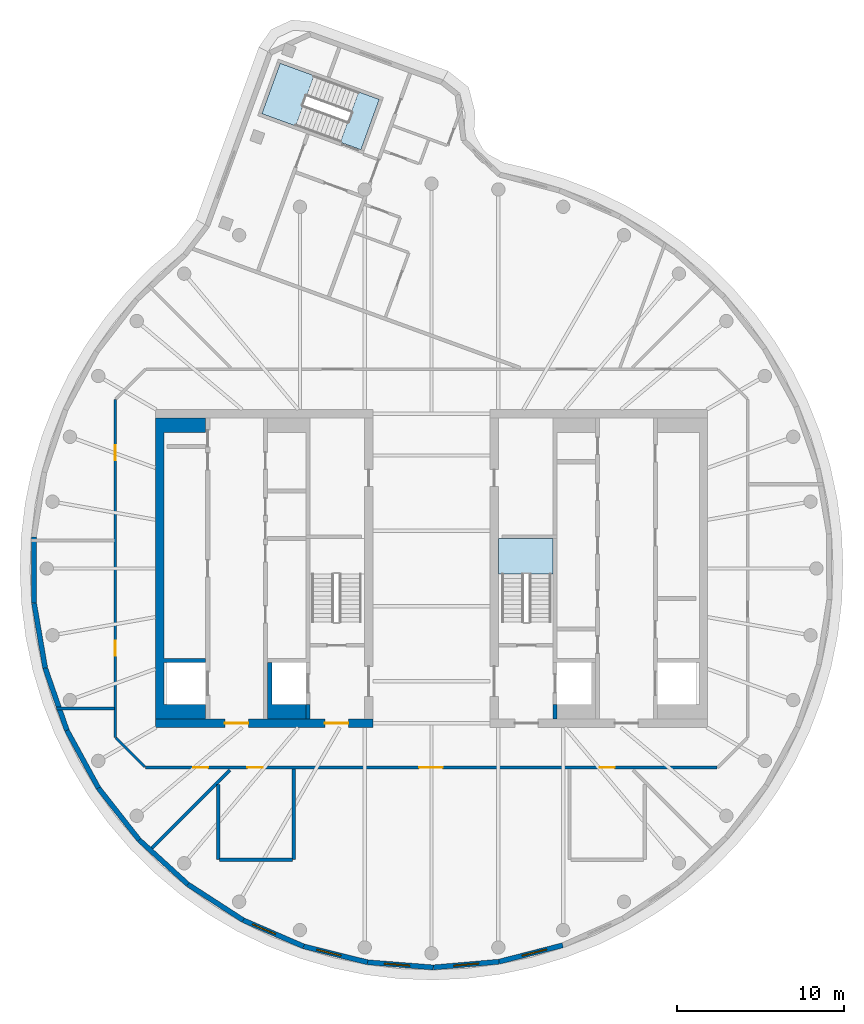
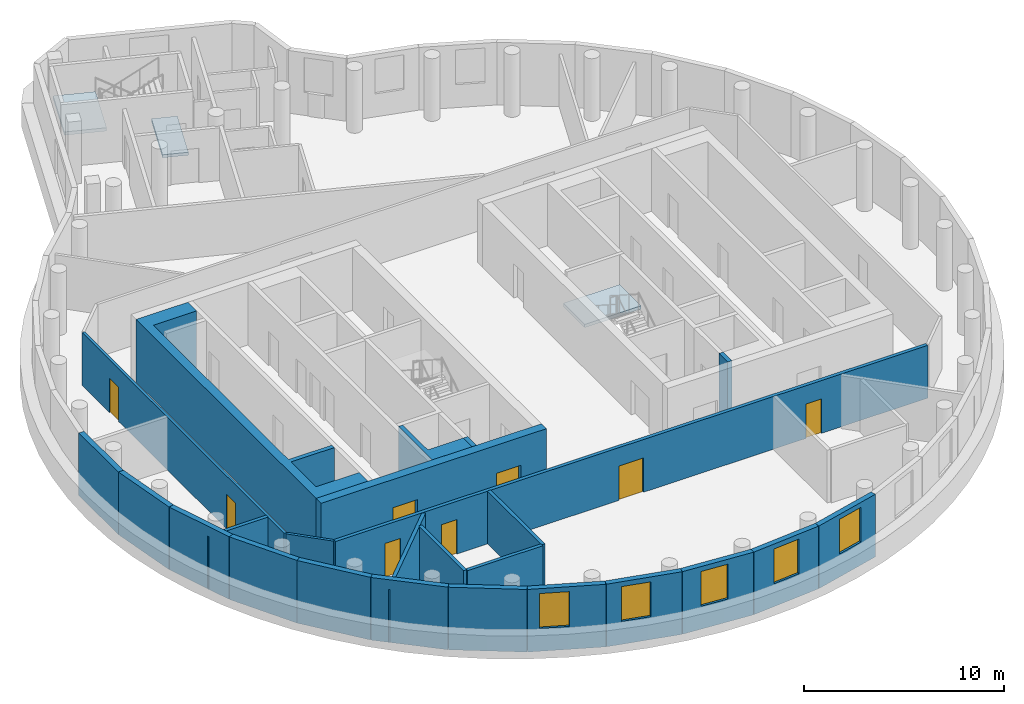
# One storey, part 2 of 7: 25 walls, 8 doors, 5 windows, 3 slabs, 13 openings, 2 elements without a shape of their own.
"""IFC4 building model written with IfcOpenShell, lengths in metres."""

import ifcopenshell
import ifcopenshell.guid

model = None  # the IFC model being written
_history = None  # IfcOwnerHistory: only IFC2X3 demands one
_inside = {}  # id of a spatial element -> (the spatial element, [elements in it])
_under = {}  # id of a project, library or spatial element -> (it, [spatial elements below it])
_declared = {}  # id of a project -> (the project, [libraries it declares])
_typed = {}  # id of a type object -> (the type object, [elements of that type])
_made_of = {}  # id of a material, layer set ... -> (it, [elements and type objects made of it])


def new_model(schema):
    """Start an empty IFC model of exactly this schema.

    Asked for "IFC4X3", IfcOpenShell would pick the latest addendum, in which some entities
    have other attributes; the version numbers below select the first issue.
    IFC2X3 requires an IfcOwnerHistory on every rooted entity: one is made here for all.
    """
    global model, _history
    if schema == "IFC4X3":
        model = ifcopenshell.file(schema_version=(4, 3, 0, 0))
    else:
        model = ifcopenshell.file(schema=schema)
    _inside.clear()
    _under.clear()
    _declared.clear()
    _typed.clear()
    _made_of.clear()
    _history = None
    if model.schema == "IFC2X3":
        org = make("IfcOrganization", Name="unknown")
        user = make(
            "IfcPersonAndOrganization",
            ThePerson=make("IfcPerson", FamilyName="unknown"),
            TheOrganization=org,
        )
        app = make(
            "IfcApplication",
            ApplicationDeveloper=org,
            Version="unknown",
            ApplicationFullName="unknown",
            ApplicationIdentifier="unknown",
        )
        _history = make(
            "IfcOwnerHistory",
            OwningUser=user,
            OwningApplication=app,
            ChangeAction="ADDED",
            CreationDate=0,
        )
    return model


def make(cls, **values):
    """One entity of the class cls with the attributes given. An attribute that is None is left unset."""
    return model.create_entity(
        cls, **{name: value for name, value in values.items() if value is not None}
    )


def rooted(cls, **values):
    """An entity with a GlobalId (a new one), such as an element, a storey or a relation."""
    return make(cls, GlobalId=ifcopenshell.guid.new(), OwnerHistory=_history, **values)


def si_unit(unit_type, name, prefix=None):
    """IfcSIUnit, for example si_unit("LENGTHUNIT", "METRE", prefix="MILLI")."""
    return make("IfcSIUnit", UnitType=unit_type, Prefix=prefix, Name=name)


def assignment(units):
    """IfcUnitAssignment: the units of a project."""
    return None if units is None else make("IfcUnitAssignment", Units=units)


def point(xyz):
    """IfcCartesianPoint."""
    return None if xyz is None else make("IfcCartesianPoint", Coordinates=xyz)


def direction(xyz):
    """IfcDirection."""
    return None if xyz is None else make("IfcDirection", DirectionRatios=xyz)


def frame(location, z_axis=None, x_axis=None):
    """IfcAxis2Placement3D, a coordinate frame: its origin and axes. An axis left out is left unset."""
    return make(
        "IfcAxis2Placement3D",
        Location=point(location),
        Axis=direction(z_axis),
        RefDirection=direction(x_axis),
    )


def frame_2d(location, x_axis=None):
    """IfcAxis2Placement2D, a coordinate frame in the plane: its origin and x axis."""
    return make(
        "IfcAxis2Placement2D", Location=point(location), RefDirection=direction(x_axis)
    )


def origin():
    """The frame at (0, 0, 0) with its axes left unset."""
    return frame((0.0, 0.0, 0.0))


def place(relative_to, where):
    """IfcLocalPlacement: puts the frame where relative to a parent placement (None: the world)."""
    return make(
        "IfcLocalPlacement", PlacementRelTo=relative_to, RelativePlacement=where
    )


def context(
    kind, dimensions, precision=None, world=None, true_north=None, identifier=None
):
    """IfcGeometricRepresentationContext, for example the 3D "Model" context."""
    return make(
        "IfcGeometricRepresentationContext",
        ContextIdentifier=identifier,
        ContextType=kind,
        CoordinateSpaceDimension=dimensions,
        Precision=precision,
        WorldCoordinateSystem=world,
        TrueNorth=true_north,
    )


def subcontext(parent, identifier, kind, view, scale=None):
    """IfcGeometricRepresentationSubContext, for example "Body" below "Model"."""
    return make(
        "IfcGeometricRepresentationSubContext",
        ContextIdentifier=identifier,
        ContextType=kind,
        ParentContext=parent,
        TargetScale=scale,
        TargetView=view,
    )


def project(units=None, contexts=None):
    """IfcProject with its units and contexts."""
    return rooted(
        "IfcProject",
        Name="project",
        RepresentationContexts=contexts,
        UnitsInContext=assignment(units),
    )


def spatial(cls, under=None, at=None, **own):
    """A site, building, storey or space (cls), placed at a placement, below another one or the project."""
    s = rooted(cls, ObjectPlacement=at, **own)
    if under is not None:
        _under.setdefault(under.id(), (under, []))[1].append(s)
    return s


def polyline(points):
    """IfcPolyline through the points."""
    return make("IfcPolyline", Points=[point(p) for p in points])


def profile(cls, at=None, kind="AREA", **sizes):
    """A parametric profile (cls). Its sizes go by their IFC names, for example OverallWidth=200.0."""
    return make(cls, ProfileType=kind, Position=at, **sizes)


def rectangle(**sizes):
    """IfcRectangleProfileDef."""
    return profile("IfcRectangleProfileDef", **sizes)


def outline(outer, holes=None, kind="AREA"):
    """IfcArbitraryClosedProfileDef: a profile drawn as a closed curve; with holes, ...WithVoids."""
    if holes is None:
        return make("IfcArbitraryClosedProfileDef", ProfileType=kind, OuterCurve=outer)
    return make(
        "IfcArbitraryProfileDefWithVoids",
        ProfileType=kind,
        OuterCurve=outer,
        InnerCurves=holes,
    )


def extrude(swept, where, along, depth):
    """IfcExtrudedAreaSolid: the profile swept, set in the frame where, extruded along a direction by depth."""
    return make(
        "IfcExtrudedAreaSolid",
        SweptArea=swept,
        Position=where,
        ExtrudedDirection=direction(along),
        Depth=depth,
    )


def shape(context_of_items, identifier, shape_type, items):
    """IfcShapeRepresentation: the items that make up one representation, for example the "Body"."""
    return make(
        "IfcShapeRepresentation",
        ContextOfItems=context_of_items,
        RepresentationIdentifier=identifier,
        RepresentationType=shape_type,
        Items=items,
    )


def material(Name=None, Category=None):
    """IfcMaterial."""
    return make("IfcMaterial", Name=Name, Category=Category)


def layer(
    of_material, thickness, ventilated=None, Name=None, Category=None, Priority=None
):
    """IfcMaterialLayer: one layer of a wall or slab, of a material (None: an air gap)."""
    return make(
        "IfcMaterialLayer",
        Material=of_material,
        LayerThickness=thickness,
        IsVentilated=ventilated,
        Name=Name,
        Category=Category,
        Priority=Priority,
    )


def layer_set(layers, Name=None):
    """IfcMaterialLayerSet."""
    return make("IfcMaterialLayerSet", MaterialLayers=layers, LayerSetName=Name)


def made_of(thing, what):
    """Note that an element or type object is made of a material, layer set ...; save() writes the relation."""
    if what is not None:
        _made_of.setdefault(what.id(), (what, []))[1].append(thing)
    return thing


def type_object(cls, material=None, **own):
    """A type object (cls), such as IfcWallType, which elements share."""
    return made_of(rooted(cls, **own), material)


def element(
    cls,
    number,
    at=None,
    inside=None,
    cuts=None,
    type_object=None,
    material=None,
    context=None,
    identifier="Body",
    shape_type=None,
    held_by="IfcProductDefinitionShape",
    body=None,
    shapes=None,
    **own,
):
    """One element of the class cls, such as IfcWall. Its Tag is "e" and its number.

    at: its placement. inside: the storey or other place that contains it. cuts: it is an
    opening in that element (IfcRelVoidsElement). A single representation is given by context,
    identifier, shape_type and body (its items); several are given by shapes. held_by: the class
    of the entity that holds the representations. save() writes the other relations.
    """
    e = rooted(cls, Tag="e%d" % number, ObjectPlacement=at, **own)
    if body is not None:
        shapes = [shape(context, identifier, shape_type, body)]
    if shapes is not None:
        e.Representation = make(held_by, Representations=shapes)
    if inside is not None:
        _inside.setdefault(inside.id(), (inside, []))[1].append(e)
    if cuts is not None:
        rooted(
            "IfcRelVoidsElement", RelatingBuildingElement=cuts, RelatedOpeningElement=e
        )
    if type_object is not None:
        _typed.setdefault(type_object.id(), (type_object, []))[1].append(e)
    return made_of(e, material)


def fill(opening, filler):
    """IfcRelFillsElement: the door or window that sits in an opening."""
    return rooted(
        "IfcRelFillsElement",
        RelatingOpeningElement=opening,
        RelatedBuildingElement=filler,
    )


def aggregate(whole, parts):
    """IfcRelAggregates: a whole, such as a stair, and the parts it consists of."""
    return rooted("IfcRelAggregates", RelatingObject=whole, RelatedObjects=parts)


def save(model, path):
    """Write the relations noted so far, then the file.

    IfcRelAggregates (storeys below a building ...), IfcRelContainedInSpatialStructure (elements
    in a storey), IfcRelDefinesByType, IfcRelAssociatesMaterial and IfcRelDeclares: one each for
    every whole, place, type object, material and project.
    """
    for whole, parts in _under.values():
        aggregate(whole, parts)
    for where, things in _inside.values():
        rooted(
            "IfcRelContainedInSpatialStructure",
            RelatedElements=things,
            RelatingStructure=where,
        )
    for kind, things in _typed.values():
        rooted("IfcRelDefinesByType", RelatedObjects=things, RelatingType=kind)
    for what, things in _made_of.values():
        rooted("IfcRelAssociatesMaterial", RelatedObjects=things, RelatingMaterial=what)
    for by, libraries in _declared.values():
        rooted("IfcRelDeclares", RelatingContext=by, RelatedDefinitions=libraries)
    model.write(path)


model = new_model("IFC4")

# Units and contexts
model_context = context("Model", 3, precision=1e-05, world=origin(), true_north=direction((0.0, 1.0)))
body_context = subcontext(model_context, "Body", "Model", "MODEL_VIEW")
ifc_project = project(units=[si_unit("LENGTHUNIT", "METRE"), si_unit("AREAUNIT", "SQUARE_METRE"), si_unit("VOLUMEUNIT", "CUBIC_METRE"), si_unit("PLANEANGLEUNIT", "RADIAN"), si_unit("MASSUNIT", "GRAM", prefix="KILO")], contexts=[model_context])

# Site, building, storey
site_placement = place(None, origin())
site = spatial("IfcSite", under=ifc_project, at=site_placement, CompositionType="ELEMENT")
building_placement = place(site_placement, origin())
building = spatial("IfcBuilding", under=site, at=building_placement, Name="Tamarind Cross Interchange Tower", CompositionType="ELEMENT")
storey_placement = place(building_placement, frame((0.0, 0.0, 309.39990234375)))
storey = spatial("IfcBuildingStorey", under=building, at=storey_placement, Name="L76", CompositionType="ELEMENT", Elevation=309.39990234375)

# Slab
ifc_material_1 = material(Name="Concrete C40", Category="concrete")
ifc_layer_1 = layer(ifc_material_1, 0.179931640625)
ifc_layer_set_1 = layer_set([ifc_layer_1], Name="Concrete C40")
slab_type_1 = type_object("IfcSlabType", Name="Composite slab 180 Concrete C40", PredefinedType="FLOOR", material=ifc_layer_set_1)
slab_1_placement = place(storey_placement, frame((0.0, 0.0, -0.179931640625)))
element("IfcSlab", 1, at=slab_1_placement, inside=storey, type_object=slab_type_1, Name="Floor slab L76", PredefinedType="FLOOR", context=body_context, shape_type="SweptSolid", body=[
    extrude(outline(polyline([(-4.358154296875, 28.481201171875), (-5.45263671875, 25.47412109375), (-4.2197265625, 25.025634765625), (-3.125244140625, 28.03271484375), (-4.358154296875, 28.481201171875)])), origin(), (0.0, 0.0, 1.0), 0.179931640625),
])

# Stair, slab
ifc_material_2 = material(Name="Exit stair")
stair_type = type_object("IfcStairType", Name="Exit stair", PredefinedType="HALF_TURN_STAIR", material=ifc_material_2)
stair_1_placement = place(storey_placement, origin())
stair_1 = element("IfcStair", 2, at=stair_1_placement, inside=storey, type_object=stair_type, Name="L76 exit stair ST2", PredefinedType="HALF_TURN_STAIR")
ifc_layer_2 = layer(ifc_material_1, 0.199951171875)
ifc_layer_set_2 = layer_set([ifc_layer_2], Name="Concrete C40")
slab_type_2 = type_object("IfcSlabType", Name="Stair landing", PredefinedType="LANDING", material=ifc_layer_set_2)
slab_2_placement = place(storey_placement, frame((0.0, 0.0, 1.800048828125)))
slab_2 = element("IfcSlab", 3, at=slab_2_placement, type_object=slab_type_2, Name="ST2 landing 1", PredefinedType="LANDING", context=body_context, shape_type="SweptSolid", body=[
    extrude(outline(polyline([(7.25, -0.340087890625), (7.25, 1.800048828125), (4.0, 1.800048828125), (4.0, -0.340087890625), (7.25, -0.340087890625)])), origin(), (0.0, 0.0, 1.0), 0.199951171875),
])
aggregate(stair_1, [slab_2])

stair_2_placement = place(storey_placement, origin())
stair_2 = element("IfcStair", 4, at=stair_2_placement, inside=storey, type_object=stair_type, Name="L76 exit stair ST4", PredefinedType="HALF_TURN_STAIR")
slab_3_placement = place(storey_placement, frame((0.0, 0.0, 1.800048828125)))
slab_3 = element("IfcSlab", 5, at=slab_3_placement, type_object=slab_type_2, Name="ST4 landing 1", PredefinedType="LANDING", context=body_context, shape_type="SweptSolid", body=[
    extrude(outline(polyline([(-7.023193359375, 29.451171875), (-9.04541015625, 30.187255859375), (-10.139892578125, 27.18017578125), (-8.11767578125, 26.444091796875), (-7.023193359375, 29.451171875)])), origin(), (0.0, 0.0, 1.0), 0.199951171875),
])
aggregate(stair_2, [slab_3])

# Wall, openings, doors
ifc_material_3 = material(Name="Concrete C50", Category="concrete")
ifc_layer_3 = layer(ifc_material_3, 0.5)
ifc_layer_set_3 = layer_set([ifc_layer_3], Name="Concrete C50")
wall_type_1 = type_object("IfcWallType", Name="Core wall 500 mm Concrete C50", PredefinedType="SHEAR", material=ifc_layer_set_3)
wall_1_placement = place(storey_placement, frame((-16.5, -9.25, 0.0), z_axis=(0.0, 0.0, 1.0), x_axis=(1.0, 0.0, 0.0)))
wall_1 = element("IfcWall", 6, at=wall_1_placement, inside=storey, type_object=wall_type_1, Name="Core wall CWL-L76-W-S", PredefinedType="SHEAR", context=body_context, shape_type="SweptSolid", body=[
    extrude(rectangle(XDim=13.0, YDim=0.5, at=frame_2d((6.5, 0.0))), origin(), (0.0, 0.0, 1.0), 3.820068359375),
])
opening_1_placement = place(wall_1_placement, frame((4.14990234375, 0.0, 0.0)))
opening_1 = element("IfcOpeningElement", 7, at=opening_1_placement, cuts=wall_1, Name="Opening DCW1", PredefinedType="OPENING", context=body_context, shape_type="SweptSolid", body=[
    extrude(rectangle(XDim=1.39990234375, YDim=2.10009765625, at=frame_2d((0.699951171875, 1.050048828125))), frame((0.0, 0.260009765625, 0.0), z_axis=(0.0, -1.0, 0.0), x_axis=(1.0, 0.0, 0.0)), (0.0, 0.0, 1.0), 0.52001953125),
])
opening_2_placement = place(wall_1_placement, frame((10.125, 0.0, 0.0)))
opening_2 = element("IfcOpeningElement", 8, at=opening_2_placement, cuts=wall_1, Name="Opening DCWF", PredefinedType="OPENING", context=body_context, shape_type="SweptSolid", body=[
    extrude(rectangle(XDim=1.39990234375, YDim=2.10009765625, at=frame_2d((0.699951171875, 1.050048828125))), frame((0.0, 0.260009765625, 0.0), z_axis=(0.0, -1.0, 0.0), x_axis=(1.0, 0.0, 0.0)), (0.0, 0.0, 1.0), 0.52001953125),
])
ifc_material_4 = material(Name="Steel, fire-resisting", Category="steel")
door_type_1 = type_object("IfcDoorType", Name="Core fire door 1400 x 2100 FD90", OperationType="SINGLE_SWING_LEFT", PredefinedType="DOOR", material=ifc_material_4)
door_1_placement = place(opening_1_placement, origin())
door_1 = element("IfcDoor", 9, at=door_1_placement, inside=storey, type_object=door_type_1, Name="L76 lift lobby door", OperationType="SINGLE_SWING_LEFT", OverallHeight=2.10009765625, OverallWidth=1.39990234375, PredefinedType="DOOR", context=body_context, shape_type="SweptSolid", body=[
    extrude(rectangle(XDim=1.39990234375, YDim=2.10009765625, at=frame_2d((0.699951171875, 1.050048828125))), frame((0.0, 0.02490234375, 0.0), z_axis=(0.0, -1.0, 0.0), x_axis=(1.0, 0.0, 0.0)), (0.0, 0.0, 1.0), 0.050048828125),
])
fill(opening_1, door_1)
door_2_placement = place(opening_2_placement, origin())
door_2 = element("IfcDoor", 10, at=door_2_placement, inside=storey, type_object=door_type_1, Name="L76 firefighting lobby end door", OperationType="SINGLE_SWING_LEFT", OverallHeight=2.10009765625, OverallWidth=1.39990234375, PredefinedType="DOOR", context=body_context, shape_type="SweptSolid", body=[
    extrude(rectangle(XDim=1.39990234375, YDim=2.10009765625, at=frame_2d((0.699951171875, 1.050048828125))), frame((0.0, 0.02490234375, 0.0), z_axis=(0.0, -1.0, 0.0), x_axis=(1.0, 0.0, 0.0)), (0.0, 0.0, 1.0), 0.050048828125),
])
fill(opening_2, door_2)

# Walls
wall_2_placement = place(storey_placement, origin())
element("IfcWall", 11, at=wall_2_placement, inside=storey, type_object=wall_type_1, Name="Core wall CWL-L76-W-A", PredefinedType="SHEAR", context=body_context, shape_type="SweptSolid", body=[
    extrude(outline(polyline([(-13.5, -8.125), (-16.0, -8.125), (-16.0, -5.625), (-13.5, -5.625), (-13.5, -5.375), (-16.0, -5.375), (-16.0, 8.125), (-13.5, 8.125), (-13.5, 9.0), (-16.0, 9.0), (-16.5, 9.0), (-16.5, -9.0), (-16.0, -9.0), (-13.5, -9.0), (-13.5, -8.125)])), origin(), (0.0, 0.0, 1.0), 3.820068359375),
])
ifc_layer_4 = layer(ifc_material_3, 0.25)
ifc_layer_set_4 = layer_set([ifc_layer_4], Name="Concrete C50")
wall_type_2 = type_object("IfcWallType", Name="Core web wall 250 mm Concrete C50", PredefinedType="SHEAR", material=ifc_layer_set_4)
wall_3_placement = place(storey_placement, origin())
element("IfcWall", 12, at=wall_3_placement, inside=storey, type_object=wall_type_2, Name="Core wall CWL-L76-W-BS", PredefinedType="SHEAR", context=body_context, shape_type="SweptSolid", body=[
    extrude(outline(polyline([(-7.5, -8.125), (-9.550048828125, -8.125), (-9.550048828125, -5.625), (-9.800048828125, -5.625), (-9.800048828125, -8.125), (-9.800048828125, -9.0), (-7.5, -9.0), (-7.5, -8.125)])), origin(), (0.0, 0.0, 1.0), 3.820068359375),
])
for number, where, z_axis, x_axis, name in (
    (13, (-7.375, -9.0, 0.0), (0.0, 0.0, 1.0), (0.0, 1.0, 0.0), "Core wall CWL-L76-W-BW"),
    (14, (7.375, -9.0, 0.0), (0.0, 0.0, 1.0), (0.0, 1.0, 0.0), "Core wall CWL-L76-E-BW"),
):
    element("IfcWall", number, at=place(storey_placement, frame(where, z_axis=z_axis, x_axis=x_axis)), inside=storey, type_object=wall_type_2, Name=name, PredefinedType="SHEAR", context=body_context, shape_type="SweptSolid", body=[
        extrude(rectangle(XDim=0.875, YDim=0.25, at=frame_2d((0.4375, 0.0))), origin(), (0.0, 0.0, 1.0), 3.820068359375),
    ])
ifc_material_5 = material(Name="Gypsum board partition on steel studs", Category="steel")
ifc_layer_5 = layer(ifc_material_5, 0.14990234375)
ifc_layer_set_5 = layer_set([ifc_layer_5], Name="Gypsum board partition on steel studs")
wall_type_3 = type_object("IfcWallType", Name="Partition 150 mm EI 120", PredefinedType="PARTITIONING", material=ifc_layer_set_5)
wall_4_placement = place(storey_placement, frame((-18.87158203125, -10.12841796875, 0.0), z_axis=(0.0, 0.0, 1.0), x_axis=(0.707106781187, -0.707106781187, 0.0)))
element("IfcWall", 15, at=wall_4_placement, inside=storey, type_object=wall_type_3, Name="Partition L76-001", PredefinedType="PARTITIONING", context=body_context, shape_type="SweptSolid", body=[
    extrude(rectangle(XDim=2.455078125, YDim=0.14990234375, at=frame_2d((1.2275390625, 0.0))), origin(), (0.0, 0.0, 1.0), 3.22021484375),
])

# Wall, openings, doors
wall_5_placement = place(storey_placement, frame((-18.89990234375, -10.10009765625, 0.0), z_axis=(0.0, 0.0, 1.0), x_axis=(0.0, 1.0, 0.0)))
wall_5 = element("IfcWall", 16, at=wall_5_placement, inside=storey, type_object=wall_type_3, Name="Partition L76-032", PredefinedType="PARTITIONING", context=body_context, shape_type="SweptSolid", body=[
    extrude(rectangle(XDim=20.2001953125, YDim=0.14990234375, at=frame_2d((10.10009765625, 0.0))), origin(), (0.0, 0.0, 1.0), 3.22021484375),
])
opening_3_placement = place(wall_5_placement, frame((4.87890625, 0.0, 0.0)))
opening_3 = element("IfcOpeningElement", 17, at=opening_3_placement, cuts=wall_5, Name="Opening D16", PredefinedType="OPENING", context=body_context, shape_type="SweptSolid", body=[
    extrude(rectangle(XDim=0.89990234375, YDim=2.10009765625, at=frame_2d((0.449951171875, 1.050048828125))), frame((0.0, 0.0849609375, 0.0), z_axis=(0.0, -1.0, 0.0), x_axis=(1.0, 0.0, 0.0)), (0.0, 0.0, 1.0), 0.169921875),
])
opening_4_placement = place(wall_5_placement, frame((16.573974609375, 0.0, 0.0)))
opening_4 = element("IfcOpeningElement", 18, at=opening_4_placement, cuts=wall_5, Name="Opening D17", PredefinedType="OPENING", context=body_context, shape_type="SweptSolid", body=[
    extrude(rectangle(XDim=0.89990234375, YDim=2.10009765625, at=frame_2d((0.449951171875, 1.050048828125))), frame((0.0, 0.0849609375, 0.0), z_axis=(0.0, -1.0, 0.0), x_axis=(1.0, 0.0, 0.0)), (0.0, 0.0, 1.0), 0.169921875),
])
ifc_material_6 = material(Name="Fire-resisting door set")
door_type_2 = type_object("IfcDoorType", Name="Interior door 900 x 2100 FD60S", OperationType="SINGLE_SWING_LEFT", PredefinedType="DOOR", material=ifc_material_6)
door_3_placement = place(opening_3_placement, origin())
door_3 = element("IfcDoor", 19, at=door_3_placement, inside=storey, type_object=door_type_2, Name="Door D16", OperationType="SINGLE_SWING_RIGHT", OverallHeight=2.10009765625, OverallWidth=0.89990234375, PredefinedType="DOOR", context=body_context, shape_type="SweptSolid", body=[
    extrude(rectangle(XDim=0.89990234375, YDim=2.10009765625, at=frame_2d((0.449951171875, 1.050048828125))), frame((0.0, 0.02490234375, 0.0), z_axis=(0.0, -1.0, 0.0), x_axis=(1.0, 0.0, 0.0)), (0.0, 0.0, 1.0), 0.050048828125),
])
fill(opening_3, door_3)
door_4_placement = place(opening_4_placement, origin())
door_4 = element("IfcDoor", 20, at=door_4_placement, inside=storey, type_object=door_type_2, Name="Door D17", OperationType="SINGLE_SWING_LEFT", OverallHeight=2.10009765625, OverallWidth=0.89990234375, PredefinedType="DOOR", context=body_context, shape_type="SweptSolid", body=[
    extrude(rectangle(XDim=0.89990234375, YDim=2.10009765625, at=frame_2d((0.449951171875, 1.050048828125))), frame((0.0, 0.02490234375, 0.0), z_axis=(0.0, -1.0, 0.0), x_axis=(1.0, 0.0, 0.0)), (0.0, 0.0, 1.0), 0.050048828125),
])
fill(opening_4, door_4)

# Wall
ifc_layer_6 = layer(ifc_material_5, 0.199951171875)
ifc_layer_set_6 = layer_set([ifc_layer_6], Name="Gypsum board partition on steel studs")
wall_type_4 = type_object("IfcWallType", Name="Partition 200 mm EI 180", PredefinedType="PARTITIONING", material=ifc_layer_set_6)
wall_6_placement = place(storey_placement, frame((-22.406982421875, -8.37109375, 0.0), z_axis=(0.0, 0.0, 1.0), x_axis=(1.0, 0.0, 0.0)))
element("IfcWall", 21, at=wall_6_placement, inside=storey, type_object=wall_type_4, Name="Partition L76-013", PredefinedType="PARTITIONING", context=body_context, shape_type="SweptSolid", body=[
    extrude(rectangle(XDim=3.451904296875, YDim=0.199951171875, at=frame_2d((1.72607421875, 0.0))), origin(), (0.0, 0.0, 1.0), 3.22021484375),
])

# Wall, openings, doors
wall_7_placement = place(storey_placement, frame((-17.10009765625, -11.89990234375, 0.0), z_axis=(0.0, 0.0, 1.0), x_axis=(1.0, 0.0, 0.0)))
wall_7 = element("IfcWall", 22, at=wall_7_placement, inside=storey, type_object=wall_type_4, Name="Partition L76-014", PredefinedType="PARTITIONING", context=body_context, shape_type="SweptSolid", body=[
    extrude(rectangle(XDim=34.1650390625, YDim=0.199951171875, at=frame_2d((17.08251953125, 0.0))), origin(), (0.0, 0.0, 1.0), 3.22021484375),
])
opening_5_placement = place(wall_7_placement, frame((6.10009765625, 0.0, 0.0)))
opening_5 = element("IfcOpeningElement", 23, at=opening_5_placement, cuts=wall_7, Name="Opening D04", PredefinedType="OPENING", context=body_context, shape_type="SweptSolid", body=[
    extrude(rectangle(XDim=0.89990234375, YDim=2.10009765625, at=frame_2d((0.449951171875, 1.050048828125))), frame((0.0, 0.10986328125, 0.0), z_axis=(0.0, -1.0, 0.0), x_axis=(1.0, 0.0, 0.0)), (0.0, 0.0, 1.0), 0.219970703125),
])
opening_6_placement = place(wall_7_placement, frame((27.14111328125, 0.0, 0.0)))
opening_6 = element("IfcOpeningElement", 24, at=opening_6_placement, cuts=wall_7, Name="Opening D05", PredefinedType="OPENING", context=body_context, shape_type="SweptSolid", body=[
    extrude(rectangle(XDim=0.89990234375, YDim=2.10009765625, at=frame_2d((0.449951171875, 1.050048828125))), frame((0.0, 0.10986328125, 0.0), z_axis=(0.0, -1.0, 0.0), x_axis=(1.0, 0.0, 0.0)), (0.0, 0.0, 1.0), 0.219970703125),
])
opening_7_placement = place(wall_7_placement, frame((16.35888671875, 0.0, 0.0)))
opening_7 = element("IfcOpeningElement", 25, at=opening_7_placement, cuts=wall_7, Name="Opening D06", PredefinedType="OPENING", context=body_context, shape_type="SweptSolid", body=[
    extrude(rectangle(XDim=1.39990234375, YDim=2.10009765625, at=frame_2d((0.699951171875, 1.050048828125))), frame((0.0, 0.10986328125, 0.0), z_axis=(0.0, -1.0, 0.0), x_axis=(1.0, 0.0, 0.0)), (0.0, 0.0, 1.0), 0.219970703125),
])
opening_8_placement = place(wall_7_placement, frame((2.85009765625, 0.0, 0.0)))
opening_8 = element("IfcOpeningElement", 26, at=opening_8_placement, cuts=wall_7, Name="Opening D07", PredefinedType="OPENING", context=body_context, shape_type="SweptSolid", body=[
    extrude(rectangle(XDim=0.89990234375, YDim=2.10009765625, at=frame_2d((0.449951171875, 1.050048828125))), frame((0.0, 0.10986328125, 0.0), z_axis=(0.0, -1.0, 0.0), x_axis=(1.0, 0.0, 0.0)), (0.0, 0.0, 1.0), 0.219970703125),
])
door_type_3 = type_object("IfcDoorType", Name="Interior door 1400 x 2100 FD120S", OperationType="DOUBLE_DOOR_SINGLE_SWING", PredefinedType="DOOR", material=ifc_material_6)
door_5_placement = place(opening_7_placement, frame((1.39990234375, 0.0, 0.0), z_axis=(0.0, 0.0, 1.0), x_axis=(-1.0, 0.0, 0.0)))
door_5 = element("IfcDoor", 27, at=door_5_placement, inside=storey, type_object=door_type_3, Name="Door D06", OperationType="DOUBLE_DOOR_SINGLE_SWING", OverallHeight=2.10009765625, OverallWidth=1.39990234375, PredefinedType="DOOR", context=body_context, shape_type="SweptSolid", body=[
    extrude(rectangle(XDim=1.39990234375, YDim=2.10009765625, at=frame_2d((0.699951171875, 1.050048828125))), frame((0.0, 0.02490234375, 0.0), z_axis=(0.0, -1.0, 0.0), x_axis=(1.0, 0.0, 0.0)), (0.0, 0.0, 1.0), 0.050048828125),
])
fill(opening_7, door_5)
door_type_4 = type_object("IfcDoorType", Name="Interior door 900 x 2100 FD120S", OperationType="SINGLE_SWING_LEFT", PredefinedType="DOOR", material=ifc_material_6)
door_6_placement = place(opening_5_placement, frame((0.89990234375, 0.0, 0.0), z_axis=(0.0, 0.0, 1.0), x_axis=(-1.0, 0.0, 0.0)))
door_6 = element("IfcDoor", 28, at=door_6_placement, inside=storey, type_object=door_type_4, Name="Door D04", OperationType="SINGLE_SWING_LEFT", OverallHeight=2.10009765625, OverallWidth=0.89990234375, PredefinedType="DOOR", context=body_context, shape_type="SweptSolid", body=[
    extrude(rectangle(XDim=0.89990234375, YDim=2.10009765625, at=frame_2d((0.449951171875, 1.050048828125))), frame((0.0, 0.02490234375, 0.0), z_axis=(0.0, -1.0, 0.0), x_axis=(1.0, 0.0, 0.0)), (0.0, 0.0, 1.0), 0.050048828125),
])
fill(opening_5, door_6)
door_7_placement = place(opening_6_placement, frame((0.89990234375, 0.0, 0.0), z_axis=(0.0, 0.0, 1.0), x_axis=(-1.0, 0.0, 0.0)))
door_7 = element("IfcDoor", 29, at=door_7_placement, inside=storey, type_object=door_type_4, Name="Door D05", OperationType="SINGLE_SWING_RIGHT", OverallHeight=2.10009765625, OverallWidth=0.89990234375, PredefinedType="DOOR", context=body_context, shape_type="SweptSolid", body=[
    extrude(rectangle(XDim=0.89990234375, YDim=2.10009765625, at=frame_2d((0.449951171875, 1.050048828125))), frame((0.0, 0.02490234375, 0.0), z_axis=(0.0, -1.0, 0.0), x_axis=(1.0, 0.0, 0.0)), (0.0, 0.0, 1.0), 0.050048828125),
])
fill(opening_6, door_7)
door_8_placement = place(opening_8_placement, frame((0.89990234375, 0.0, 0.0), z_axis=(0.0, 0.0, 1.0), x_axis=(-1.0, 0.0, 0.0)))
door_8 = element("IfcDoor", 30, at=door_8_placement, inside=storey, type_object=door_type_4, Name="Door D07", OperationType="SINGLE_SWING_LEFT", OverallHeight=2.10009765625, OverallWidth=0.89990234375, PredefinedType="DOOR", context=body_context, shape_type="SweptSolid", body=[
    extrude(rectangle(XDim=0.89990234375, YDim=2.10009765625, at=frame_2d((0.449951171875, 1.050048828125))), frame((0.0, 0.02490234375, 0.0), z_axis=(0.0, -1.0, 0.0), x_axis=(1.0, 0.0, 0.0)), (0.0, 0.0, 1.0), 0.050048828125),
])
fill(opening_8, door_8)

# Walls
wall_8_placement = place(storey_placement, frame((-12.660888671875, -17.39990234375, 0.0), z_axis=(0.0, 0.0, 1.0), x_axis=(1.0, 0.0, 0.0)))
element("IfcWall", 31, at=wall_8_placement, inside=storey, type_object=wall_type_4, Name="Partition L76-016", PredefinedType="PARTITIONING", context=body_context, shape_type="SweptSolid", body=[
    extrude(rectangle(XDim=4.33984375, YDim=0.199951171875, at=frame_2d((2.169921875, 0.0))), origin(), (0.0, 0.0, 1.0), 3.22021484375),
])
wall_9_placement = place(storey_placement, frame((-16.927001953125, -16.927001953125, 0.0), z_axis=(0.0, 0.0, 1.0), x_axis=(0.707106781187, 0.707106781187, 0.0)))
element("IfcWall", 32, at=wall_9_placement, inside=storey, type_object=wall_type_4, Name="Partition L76-020", PredefinedType="PARTITIONING", context=body_context, shape_type="SweptSolid", body=[
    extrude(rectangle(XDim=6.894287109375, YDim=0.199951171875, at=frame_2d((3.447265625, 0.0))), origin(), (0.0, 0.0, 1.0), 3.22021484375),
])
wall_10_placement = place(storey_placement, frame((-12.740966796875, -17.39990234375, 0.0), z_axis=(0.0, 0.0, 1.0), x_axis=(0.0, 1.0, 0.0)))
element("IfcWall", 33, at=wall_10_placement, inside=storey, type_object=wall_type_4, Name="Partition L76-033", PredefinedType="PARTITIONING", context=body_context, shape_type="SweptSolid", body=[
    extrude(rectangle(XDim=4.4990234375, YDim=0.199951171875, at=frame_2d((2.24951171875, 0.0))), origin(), (0.0, 0.0, 1.0), 3.22021484375),
])
wall_11_placement = place(storey_placement, frame((-8.240966796875, -17.39990234375, 0.0), z_axis=(0.0, 0.0, 1.0), x_axis=(0.0, 1.0, 0.0)))
element("IfcWall", 34, at=wall_11_placement, inside=storey, type_object=wall_type_4, Name="Partition L76-034", PredefinedType="PARTITIONING", context=body_context, shape_type="SweptSolid", body=[
    extrude(rectangle(XDim=5.419921875, YDim=0.199951171875, at=frame_2d((2.7099609375, 0.0))), origin(), (0.0, 0.0, 1.0), 3.22021484375),
])
ifc_material_7 = material(Name="Precast concrete C40", Category="concrete")
ifc_layer_7 = layer(ifc_material_7, 0.300048828125)
ifc_layer_set_7 = layer_set([ifc_layer_7], Name="Precast concrete C40")
wall_type_5 = type_object("IfcWallType", Name="Plant louvre wall", PredefinedType="SOLIDWALL", material=ifc_layer_set_7)
wall_12_placement = place(storey_placement, frame((-23.772705078125, 1.866943359375, 0.0), z_axis=(0.0, 0.0, 1.0), x_axis=(0.004339160737, -0.999990585798, 0.0)))
element("IfcWall", 35, at=wall_12_placement, inside=storey, type_object=wall_type_5, Name="EXW-L76-02-06", PredefinedType="SOLIDWALL", context=body_context, shape_type="SweptSolid", body=[
    extrude(rectangle(XDim=3.9384765625, YDim=0.300048828125, at=frame_2d((1.96923828125, 0.0))), origin(), (0.0, 0.0, 1.0), 3.820068359375),
])
wall_13_placement = place(storey_placement, frame((-23.755615234375, -2.071533203125, 0.0), z_axis=(0.0, 0.0, 1.0), x_axis=(0.168810670753, -0.985648495885, 0.0)))
element("IfcWall", 36, at=wall_13_placement, inside=storey, type_object=wall_type_5, Name="EXW-L76-02-07", PredefinedType="SOLIDWALL", context=body_context, shape_type="SweptSolid", body=[
    extrude(rectangle(XDim=3.93798828125, YDim=0.300048828125, at=frame_2d((1.968994140625, 0.0))), origin(), (0.0, 0.0, 1.0), 3.820068359375),
])
for number, where, z_axis, x_axis, name in (
    (37, (-23.0908203125, -5.953125, 0.0), (0.0, 0.0, 1.0), (0.328789892836, -0.944403095277, 0.0), "EXW-L76-02-08"),
    (38, (-21.7958984375, -9.672607421875, 0.0), (0.0, 0.0, 1.0), (0.479742253376, -0.877409465601, 0.0), "EXW-L76-02-09"),
):
    element("IfcWall", number, at=place(storey_placement, frame(where, z_axis=z_axis, x_axis=x_axis)), inside=storey, type_object=wall_type_5, Name=name, PredefinedType="SOLIDWALL", context=body_context, shape_type="SweptSolid", body=[
        extrude(rectangle(XDim=3.9384765625, YDim=0.300048828125, at=frame_2d((1.96923828125, 0.0))), origin(), (0.0, 0.0, 1.0), 3.820068359375),
    ])
wall_14_placement = place(storey_placement, frame((-19.906494140625, -13.128173828125, 0.0), z_axis=(0.0, 0.0, 1.0), x_axis=(0.617577851206, -0.786509756901, 0.0)))
element("IfcWall", 39, at=wall_14_placement, inside=storey, type_object=wall_type_5, Name="EXW-L76-02-10", PredefinedType="SOLIDWALL", context=body_context, shape_type="SweptSolid", body=[
    extrude(rectangle(XDim=3.938232421875, YDim=0.300048828125, at=frame_2d((1.96923828125, 0.0))), origin(), (0.0, 0.0, 1.0), 3.820068359375),
])
wall_15_placement = place(storey_placement, frame((-17.474365234375, -16.2255859375, 0.0), z_axis=(0.0, 0.0, 1.0), x_axis=(0.738634435884, -0.674106200926, 0.0)))
element("IfcWall", 40, at=wall_15_placement, inside=storey, type_object=wall_type_5, Name="EXW-L76-02-11", PredefinedType="SOLIDWALL", context=body_context, shape_type="SweptSolid", body=[
    extrude(rectangle(XDim=3.9384765625, YDim=0.300048828125, at=frame_2d((1.96923828125, 0.0))), origin(), (0.0, 0.0, 1.0), 3.820068359375),
])
wall_16_placement = place(storey_placement, frame((-14.565185546875, -18.880615234375, 0.0), z_axis=(0.0, 0.0, 1.0), x_axis=(0.839498632024, -0.54336180104, 0.0)))
element("IfcWall", 41, at=wall_16_placement, inside=storey, type_object=wall_type_5, Name="EXW-L76-02-12", PredefinedType="SOLIDWALL", context=body_context, shape_type="SweptSolid", body=[
    extrude(rectangle(XDim=3.938232421875, YDim=0.300048828125, at=frame_2d((1.96923828125, 0.0))), origin(), (0.0, 0.0, 1.0), 3.820068359375),
])

# Wall, opening, window
wall_17_placement = place(storey_placement, frame((-11.259033203125, -21.0205078125, 0.0), z_axis=(0.0, 0.0, 1.0), x_axis=(0.917505110173, -0.397723990735, 0.0)))
wall_17 = element("IfcWall", 42, at=wall_17_placement, inside=storey, type_object=wall_type_5, Name="EXW-L76-02-13", PredefinedType="SOLIDWALL", context=body_context, shape_type="SweptSolid", body=[
    extrude(rectangle(XDim=3.9384765625, YDim=0.300048828125, at=frame_2d((1.96923828125, 0.0))), origin(), (0.0, 0.0, 1.0), 3.820068359375),
])
opening_9_placement = place(wall_17_placement, frame((0.60009765625, 0.0, 1.39990234375)))
opening_9 = element("IfcOpeningElement", 43, at=opening_9_placement, cuts=wall_17, Name="Opening W2", PredefinedType="OPENING", context=body_context, shape_type="SweptSolid", body=[
    extrude(rectangle(XDim=1.498291015625, YDim=2.1201171875, at=frame_2d((0.7490234375, 1.06005859375))), frame((0.0, 0.159912109375, 0.0), z_axis=(0.0, -1.0, 0.0), x_axis=(1.0, 0.0, 0.0)), (0.0, 0.0, 1.0), 0.320068359375),
])
ifc_material_8 = material(Name="Aluminium louvre", Category="aluminium")
window_type = type_object("IfcWindowType", Name="Plant louvre bank", PartitioningType="SINGLE_PANEL", PredefinedType="WINDOW", material=ifc_material_8)
window_1_placement = place(opening_9_placement, origin())
window_1 = element("IfcWindow", 44, at=window_1_placement, inside=storey, type_object=window_type, Name="WIN-L76-02-13", OverallHeight=2.1201171875, OverallWidth=1.498291015625, PartitioningType="SINGLE_PANEL", PredefinedType="WINDOW", context=body_context, shape_type="SweptSolid", body=[
    extrude(rectangle(XDim=1.498291015625, YDim=2.1201171875, at=frame_2d((0.7490234375, 1.06005859375))), frame((0.0, 0.030029296875, 0.0), z_axis=(0.0, -1.0, 0.0), x_axis=(1.0, 0.0, 0.0)), (0.0, 0.0, 1.0), 0.06005859375),
])
fill(opening_9, window_1)

wall_18_placement = place(storey_placement, frame((-7.6455078125, -22.5869140625, 0.0), z_axis=(0.0, 0.0, 1.0), x_axis=(0.970440788586, -0.241339337547, 0.0)))
wall_18 = element("IfcWall", 45, at=wall_18_placement, inside=storey, type_object=wall_type_5, Name="EXW-L76-02-14", PredefinedType="SOLIDWALL", context=body_context, shape_type="SweptSolid", body=[
    extrude(rectangle(XDim=3.938232421875, YDim=0.300048828125, at=frame_2d((1.96923828125, 0.0))), origin(), (0.0, 0.0, 1.0), 3.820068359375),
])
opening_10_placement = place(wall_18_placement, frame((0.800537109375, 0.0, 1.39990234375)))
opening_10 = element("IfcOpeningElement", 46, at=opening_10_placement, cuts=wall_18, Name="Opening W2", PredefinedType="OPENING", context=body_context, shape_type="SweptSolid", body=[
    extrude(rectangle(XDim=1.508544921875, YDim=2.1201171875, at=frame_2d((0.75439453125, 1.06005859375))), frame((0.0, 0.159912109375, 0.0), z_axis=(0.0, -1.0, 0.0), x_axis=(1.0, 0.0, 0.0)), (0.0, 0.0, 1.0), 0.320068359375),
])
window_2_placement = place(opening_10_placement, origin())
window_2 = element("IfcWindow", 47, at=window_2_placement, inside=storey, type_object=window_type, Name="WIN-L76-02-14", OverallHeight=2.1201171875, OverallWidth=1.508544921875, PartitioningType="SINGLE_PANEL", PredefinedType="WINDOW", context=body_context, shape_type="SweptSolid", body=[
    extrude(rectangle(XDim=1.508544921875, YDim=2.1201171875, at=frame_2d((0.75439453125, 1.06005859375))), frame((0.0, 0.030029296875, 0.0), z_axis=(0.0, -1.0, 0.0), x_axis=(1.0, 0.0, 0.0)), (0.0, 0.0, 1.0), 0.06005859375),
])
fill(opening_10, window_2)

wall_19_placement = place(storey_placement, frame((-3.82373046875, -23.537353515625, 0.0), z_axis=(0.0, 0.0, 1.0), x_axis=(0.996930318741, -0.078293930641, 0.0)))
wall_19 = element("IfcWall", 48, at=wall_19_placement, inside=storey, type_object=wall_type_5, Name="EXW-L76-02-15", PredefinedType="SOLIDWALL", context=body_context, shape_type="SweptSolid", body=[
    extrude(rectangle(XDim=3.9384765625, YDim=0.300048828125, at=frame_2d((1.96923828125, 0.0))), origin(), (0.0, 0.0, 1.0), 3.820068359375),
])
opening_11_placement = place(wall_19_placement, frame((1.0107421875, 0.0, 1.39990234375)))
opening_11 = element("IfcOpeningElement", 49, at=opening_11_placement, cuts=wall_19, Name="Opening W2", PredefinedType="OPENING", context=body_context, shape_type="SweptSolid", body=[
    extrude(rectangle(XDim=1.509033203125, YDim=2.1201171875, at=frame_2d((0.75439453125, 1.06005859375))), frame((0.0, 0.159912109375, 0.0), z_axis=(0.0, -1.0, 0.0), x_axis=(1.0, 0.0, 0.0)), (0.0, 0.0, 1.0), 0.320068359375),
])
window_3_placement = place(opening_11_placement, origin())
window_3 = element("IfcWindow", 50, at=window_3_placement, inside=storey, type_object=window_type, Name="WIN-L76-02-15", OverallHeight=2.1201171875, OverallWidth=1.509033203125, PartitioningType="SINGLE_PANEL", PredefinedType="WINDOW", context=body_context, shape_type="SweptSolid", body=[
    extrude(rectangle(XDim=1.509033203125, YDim=2.1201171875, at=frame_2d((0.75439453125, 1.06005859375))), frame((0.0, 0.030029296875, 0.0), z_axis=(0.0, -1.0, 0.0), x_axis=(1.0, 0.0, 0.0)), (0.0, 0.0, 1.0), 0.06005859375),
])
fill(opening_11, window_3)

wall_20_placement = place(storey_placement, frame((0.1025390625, -23.845703125, 0.0), z_axis=(0.0, 0.0, 1.0), x_axis=(0.99621635874, 0.08690780505, 0.0)))
wall_20 = element("IfcWall", 51, at=wall_20_placement, inside=storey, type_object=wall_type_5, Name="EXW-L76-02-16", PredefinedType="SOLIDWALL", context=body_context, shape_type="SweptSolid", body=[
    extrude(rectangle(XDim=3.9384765625, YDim=0.300048828125, at=frame_2d((1.96923828125, 0.0))), origin(), (0.0, 0.0, 1.0), 3.820068359375),
])
opening_12_placement = place(wall_20_placement, frame((1.22119140625, 0.0, 1.39990234375)))
opening_12 = element("IfcOpeningElement", 52, at=opening_12_placement, cuts=wall_20, Name="Opening W2", PredefinedType="OPENING", context=body_context, shape_type="SweptSolid", body=[
    extrude(rectangle(XDim=1.50927734375, YDim=2.1201171875, at=frame_2d((0.754638671875, 1.06005859375))), frame((0.0, 0.159912109375, 0.0), z_axis=(0.0, -1.0, 0.0), x_axis=(1.0, 0.0, 0.0)), (0.0, 0.0, 1.0), 0.320068359375),
])
window_4_placement = place(opening_12_placement, origin())
window_4 = element("IfcWindow", 53, at=window_4_placement, inside=storey, type_object=window_type, Name="WIN-L76-02-16", OverallHeight=2.1201171875, OverallWidth=1.50927734375, PartitioningType="SINGLE_PANEL", PredefinedType="WINDOW", context=body_context, shape_type="SweptSolid", body=[
    extrude(rectangle(XDim=1.50927734375, YDim=2.1201171875, at=frame_2d((0.754638671875, 1.06005859375))), frame((0.0, 0.030029296875, 0.0), z_axis=(0.0, -1.0, 0.0), x_axis=(1.0, 0.0, 0.0)), (0.0, 0.0, 1.0), 0.06005859375),
])
fill(opening_12, window_4)

wall_21_placement = place(storey_placement, frame((4.026123046875, -23.50341796875, 0.0), z_axis=(0.0, 0.0, 1.0), x_axis=(0.968336809904, 0.24964739651, 0.0)))
wall_21 = element("IfcWall", 54, at=wall_21_placement, inside=storey, type_object=wall_type_5, Name="EXW-L76-02-17", PredefinedType="SOLIDWALL", context=body_context, shape_type="SweptSolid", body=[
    extrude(rectangle(XDim=3.938232421875, YDim=0.300048828125, at=frame_2d((1.96923828125, 0.0))), origin(), (0.0, 0.0, 1.0), 3.820068359375),
])
opening_13_placement = place(wall_21_placement, frame((1.431884765625, 0.0, 1.39990234375)))
opening_13 = element("IfcOpeningElement", 55, at=opening_13_placement, cuts=wall_21, Name="Opening W2", PredefinedType="OPENING", context=body_context, shape_type="SweptSolid", body=[
    extrude(rectangle(XDim=1.509033203125, YDim=2.1201171875, at=frame_2d((0.75439453125, 1.06005859375))), frame((0.0, 0.159912109375, 0.0), z_axis=(0.0, -1.0, 0.0), x_axis=(1.0, 0.0, 0.0)), (0.0, 0.0, 1.0), 0.320068359375),
])
window_5_placement = place(opening_13_placement, origin())
window_5 = element("IfcWindow", 56, at=window_5_placement, inside=storey, type_object=window_type, Name="WIN-L76-02-17", OverallHeight=2.1201171875, OverallWidth=1.509033203125, PartitioningType="SINGLE_PANEL", PredefinedType="WINDOW", context=body_context, shape_type="SweptSolid", body=[
    extrude(rectangle(XDim=1.509033203125, YDim=2.1201171875, at=frame_2d((0.75439453125, 1.06005859375))), frame((0.0, 0.030029296875, 0.0), z_axis=(0.0, -1.0, 0.0), x_axis=(1.0, 0.0, 0.0)), (0.0, 0.0, 1.0), 0.06005859375),
])
fill(opening_13, window_5)

save(model, "model.ifc")
